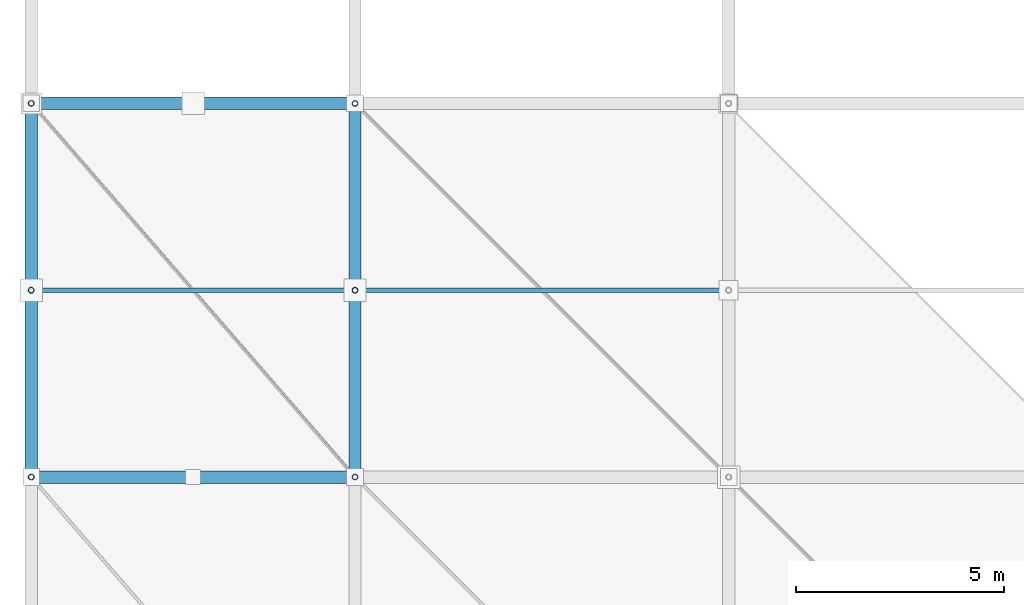
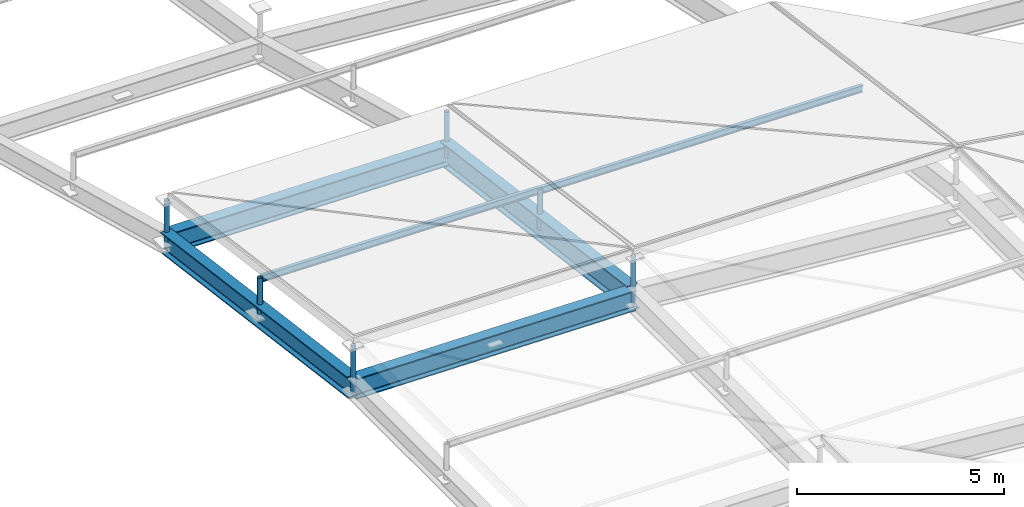
# One storey, part 26 of 80: 8 members, 4 beams.
"""IFC4 building model written with IfcOpenShell, lengths in metres."""

from ifc_helpers import new_model, si_unit, direction, frame, origin, origin_2d, place, context, subcontext, project, spatial, hollow_circle, i_section, extrude, material, material_profile, profile_set, type_object, element, save


model = new_model("IFC4")

# Units and contexts
model_context = context("Model", 3, precision=1e-05, world=origin(), true_north=direction((0.0, 1.0)))
body_context = subcontext(model_context, "Body", "Model", "MODEL_VIEW")
ifc_project = project(units=[si_unit("LENGTHUNIT", "METRE"), si_unit("AREAUNIT", "SQUARE_METRE"), si_unit("VOLUMEUNIT", "CUBIC_METRE"), si_unit("PLANEANGLEUNIT", "RADIAN"), si_unit("MASSUNIT", "GRAM", prefix="KILO")], contexts=[model_context])

# Site, building, storey
site_placement = place(None, origin())
site = spatial("IfcSite", under=ifc_project, at=site_placement, CompositionType="ELEMENT")
building_placement = place(site_placement, origin())
building = spatial("IfcBuilding", under=site, at=building_placement, Name="Barlavento Convention Centre", CompositionType="ELEMENT")
storey_placement = place(building_placement, frame((0.0, 0.0, 29.800048828125)))
storey = spatial("IfcBuildingStorey", under=building, at=storey_placement, Name="RF", CompositionType="ELEMENT", Elevation=29.800048828125)

# Beams
ifc_material_1 = material(Name="Steel S355", Category="steel")
ifc_material_profile_1 = material_profile(ifc_material_1, i_section(OverallWidth=0.300048828125, OverallDepth=0.60009765625, WebThickness=0.015380859375, FlangeThickness=0.030029296875, FilletRadius=0.027099609375, at=origin_2d()), Name="HEB 600")
ifc_profile_set_1 = profile_set([ifc_material_profile_1], Name="Steel S355")
beam_type_1 = type_object("IfcBeamType", Name="STR-BM-CANT-HEB600", PredefinedType="BEAM", material=ifc_profile_set_1)
for number, where, z_axis, x_axis, name in (
    (1, (-7.794921875, 27.0, 0.39990234375), (0.999894739787, 0.0, -0.014508940219), (0.0, 1.0, 0.0), "Congress roof truss space frame chord"),
    (2, (-7.794921875, 36.0, -0.78564453125), (0.99989428468, 0.0, -0.014540270405), (0.0, 1.0, 0.0), "Congress roof truss space frame chord"),
):
    element("IfcBeam", number, at=place(storey_placement, frame(where, z_axis=z_axis, x_axis=x_axis)), inside=storey, type_object=beam_type_1, Name=name, PredefinedType="BEAM", context=body_context, shape_type="SweptSolid", body=[
        extrude(i_section(OverallWidth=0.300048828125, OverallDepth=0.60009765625, WebThickness=0.015380859375, FlangeThickness=0.030029296875, FilletRadius=0.027099609375, at=origin_2d()), origin(), (0.0, 0.0, 1.0), 7.790771484375),
    ])
beam_1_placement = place(storey_placement, frame((-7.800048828125, 27.0048828125, 0.39990234375), z_axis=(0.0, 0.991416866697, -0.130738656981), x_axis=(-1.0, 0.0, 0.0)))
element("IfcBeam", 3, at=beam_1_placement, inside=storey, type_object=beam_type_1, Name="Congress roof truss space frame chord", PredefinedType="BEAM", context=body_context, shape_type="SweptSolid", body=[
    extrude(i_section(OverallWidth=0.300048828125, OverallDepth=0.60009765625, WebThickness=0.015380859375, FlangeThickness=0.030029296875, FilletRadius=0.027099609375, at=origin_2d()), origin(), (0.0, 0.0, 1.0), 9.068115234375),
])
ifc_material_2 = material(Name="Steel S460", Category="steel")
ifc_material_profile_2 = material_profile(ifc_material_2, i_section(OverallWidth=0.300048828125, OverallDepth=0.699951171875, WebThickness=0.01708984375, FlangeThickness=0.031982421875, FilletRadius=0.027099609375, at=origin_2d()), Name="HEB 700")
ifc_profile_set_2 = profile_set([ifc_material_profile_2], Name="Steel S460")
beam_type_2 = type_object("IfcBeamType", Name="STR-BM-TRUSS-TOP-HEB700", PredefinedType="BEAM", material=ifc_profile_set_2)
beam_2_placement = place(storey_placement, frame((0.0, 27.0048828125, 0.286865234375), z_axis=(0.0, 0.991413376675, -0.130765119773), x_axis=(-1.0, 0.0, 0.0)))
element("IfcBeam", 4, at=beam_2_placement, inside=storey, type_object=beam_type_2, Name="Congress roof truss space frame chord", PredefinedType="BEAM", context=body_context, shape_type="SweptSolid", body=[
    extrude(i_section(OverallWidth=0.300048828125, OverallDepth=0.699951171875, WebThickness=0.01708984375, FlangeThickness=0.031982421875, FilletRadius=0.027099609375, at=origin_2d()), origin(), (0.0, 0.0, 1.0), 9.068115234375),
])

# Members
ifc_material_profile_3 = material_profile(ifc_material_1, hollow_circle(Radius=0.06982421875, WallThickness=0.008056640625, at=origin_2d()), Name="CHS 139.7x8.0")
ifc_profile_set_3 = profile_set([ifc_material_profile_3], Name="Steel S355")
member_type_1 = type_object("IfcMemberType", Name="STR-MEM-DIAG-CHS139", PredefinedType="BRACE", material=ifc_profile_set_3)
member_1_placement = place(storey_placement, frame((-7.800048828125, 27.0, 0.25), z_axis=(0.0, 0.0, 1.0), x_axis=(1.0, 0.0, 0.0)))
element("IfcMember", 5, at=member_1_placement, inside=storey, type_object=member_type_1, Name="Congress space frame vertical node post TD04", PredefinedType="BRACE", context=body_context, shape_type="SweptSolid", body=[
    extrude(hollow_circle(Radius=0.06982421875, WallThickness=0.008056640625, at=origin_2d()), origin(), (0.0, 0.0, 1.0), 1.369873046875),
])
member_2_placement = place(storey_placement, frame((-7.800048828125, 36.0, -0.935791015625), z_axis=(0.0, 0.0, 1.0), x_axis=(1.0, 0.0, 0.0)))
element("IfcMember", 6, at=member_2_placement, inside=storey, type_object=member_type_1, Name="Congress space frame vertical node post TD04", PredefinedType="BRACE", context=body_context, shape_type="SweptSolid", body=[
    extrude(hollow_circle(Radius=0.06982421875, WallThickness=0.008056640625, at=origin_2d()), origin(), (0.0, 0.0, 1.0), 1.3701171875),
])
for number, where, z_axis, x_axis, name in (
    (7, (0.0, 27.0, 0.136962890625), (0.0, 0.0, 1.0), (1.0, 0.0, 0.0), "Congress space frame vertical node post TD04"),
    (8, (0.0, 36.0, -1.048828125), (0.0, 0.0, 1.0), (1.0, 0.0, 0.0), "Congress space frame vertical node post TD04"),
):
    element("IfcMember", number, at=place(storey_placement, frame(where, z_axis=z_axis, x_axis=x_axis)), inside=storey, type_object=member_type_1, Name=name, PredefinedType="BRACE", context=body_context, shape_type="SweptSolid", body=[
        extrude(hollow_circle(Radius=0.06982421875, WallThickness=0.008056640625, at=origin_2d()), origin(), (0.0, 0.0, 1.0), 1.369873046875),
    ])
member_3_placement = place(storey_placement, frame((-7.800048828125, 31.5, -0.31298828125), z_axis=(0.0, 0.0, 1.0), x_axis=(1.0, 0.0, 0.0)))
element("IfcMember", 9, at=member_3_placement, inside=storey, type_object=member_type_1, Name="Congress space frame vertical node post TD04", PredefinedType="BRACE", context=body_context, shape_type="SweptSolid", body=[
    extrude(hollow_circle(Radius=0.06982421875, WallThickness=0.008056640625, at=origin_2d()), origin(), (0.0, 0.0, 1.0), 1.200439453125),
])
member_4_placement = place(storey_placement, frame((0.0, 31.5, -0.426025390625), z_axis=(0.0, 0.0, 1.0), x_axis=(1.0, 0.0, 0.0)))
element("IfcMember", 10, at=member_4_placement, inside=storey, type_object=member_type_1, Name="Congress space frame vertical node post TD04", PredefinedType="BRACE", context=body_context, shape_type="SweptSolid", body=[
    extrude(hollow_circle(Radius=0.06982421875, WallThickness=0.008056640625, at=origin_2d()), origin(), (0.0, 0.0, 1.0), 1.199951171875),
])
ifc_material_profile_4 = material_profile(ifc_material_1, i_section(OverallWidth=0.10009765625, OverallDepth=0.199951171875, WebThickness=0.005615234375, FlangeThickness=0.008544921875, FilletRadius=0.011962890625, at=origin_2d()), Name="IPE 200")
ifc_profile_set_4 = profile_set([ifc_material_profile_4], Name="Steel S355")
member_type_2 = type_object("IfcMemberType", Name="STR-MEM-PUR-IPE200", PredefinedType="PURLIN", material=ifc_profile_set_4)
member_5_placement = place(storey_placement, frame((-7.780029296875, 31.5, 0.847412109375), z_axis=(0.999893005421, 0.0, -0.014627976955), x_axis=(0.0, 1.0, 0.0)))
element("IfcMember", 11, at=member_5_placement, inside=storey, type_object=member_type_2, Name="Congress roof intermediate purlin PR01", PredefinedType="PURLIN", context=body_context, shape_type="SweptSolid", body=[
    extrude(i_section(OverallWidth=0.10009765625, OverallDepth=0.199951171875, WebThickness=0.005615234375, FlangeThickness=0.008544921875, FilletRadius=0.011962890625, at=origin_2d()), origin(), (0.0, 0.0, 1.0), 7.7607421875),
])
member_6_placement = place(storey_placement, frame((0.02001953125, 31.5, 0.718017578125), z_axis=(0.999896524315, 0.0, -0.014385432284), x_axis=(0.0, 1.0, 0.0)))
element("IfcMember", 12, at=member_6_placement, inside=storey, type_object=member_type_2, Name="Congress roof intermediate purlin PR01", PredefinedType="PURLIN", context=body_context, shape_type="SweptSolid", body=[
    extrude(i_section(OverallWidth=0.10009765625, OverallDepth=0.199951171875, WebThickness=0.005615234375, FlangeThickness=0.008544921875, FilletRadius=0.011962890625, at=origin_2d()), origin(), (0.0, 0.0, 1.0), 8.9609375),
])

save(model, "model.ifc")
